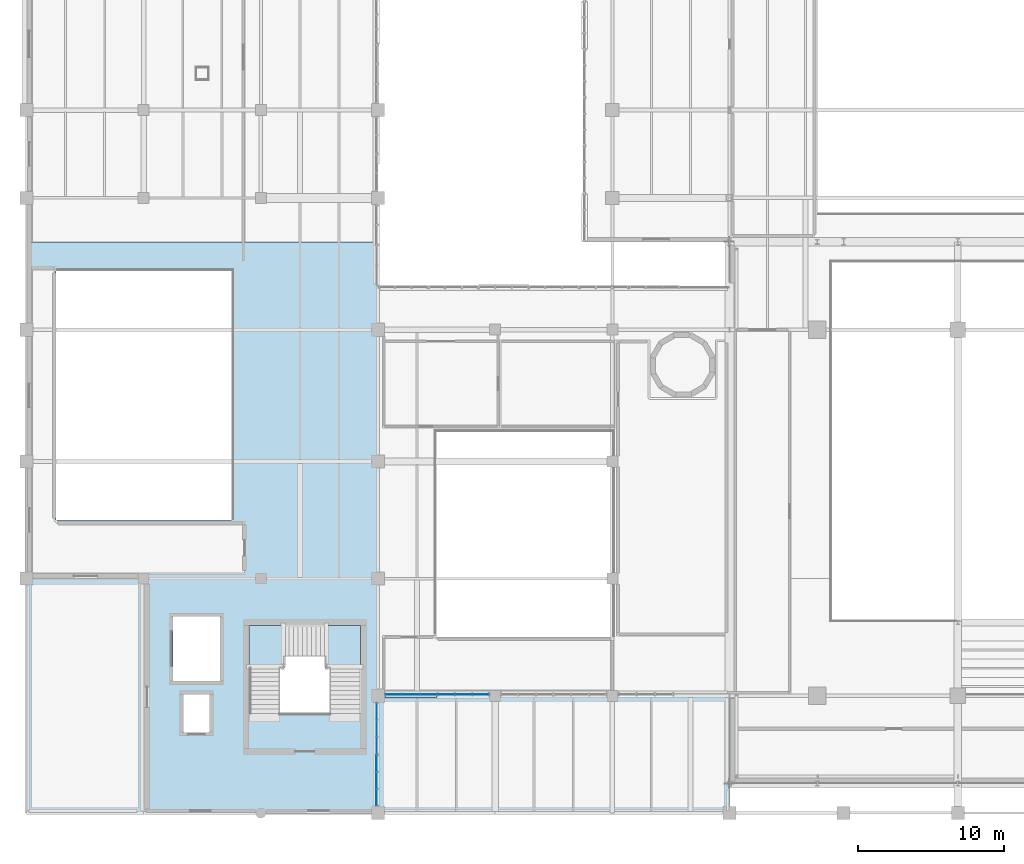
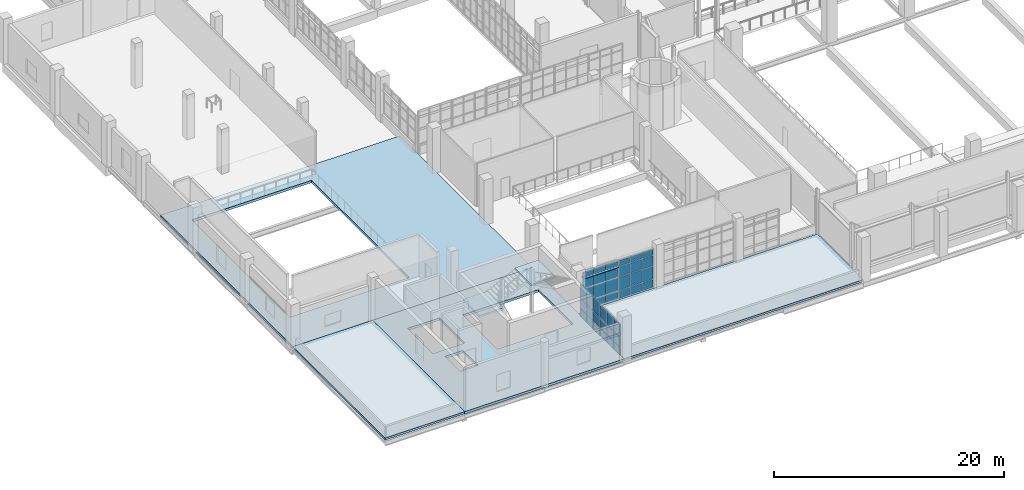
# One storey, part 65 of 102: 43 plates, 6 slabs, 5 elements without a shape of their own.
"""IFC4 building model written with IfcOpenShell, lengths in metres."""

from ifc_helpers import new_model, si_unit, derived_unit, direction, frame, origin, origin_2d, place, context, subcontext, project, spatial, polyline, rectangle, outline, extrude, material, layer, layer_set, type_object, element, aggregate, save


model = new_model("IFC4")

# Units and contexts
model_context = context("Model", 3, precision=1e-05, world=origin(), true_north=direction((0.0, 1.0)))
body_context = subcontext(model_context, "Body", "Model", "MODEL_VIEW")
ifc_project = project(units=[si_unit("LENGTHUNIT", "METRE"), si_unit("AREAUNIT", "SQUARE_METRE"), si_unit("VOLUMEUNIT", "CUBIC_METRE"), si_unit("PLANEANGLEUNIT", "RADIAN"), si_unit("MASSUNIT", "GRAM", prefix="KILO"), derived_unit("THERMALTRANSMITTANCEUNIT", [(si_unit("POWERUNIT", "WATT"), 1), (si_unit("LENGTHUNIT", "METRE"), -2), (si_unit("THERMODYNAMICTEMPERATUREUNIT", "KELVIN"), -1)])], contexts=[model_context])

# Site, building, storey
site_placement = place(None, origin())
site = spatial("IfcSite", under=ifc_project, at=site_placement, CompositionType="ELEMENT")
building_placement = place(site_placement, origin())
building = spatial("IfcBuilding", under=site, at=building_placement, Name="Nallur Shell Playhouse", CompositionType="ELEMENT")
storey_placement = place(building_placement, frame((0.0, 0.0, 15.0)))
storey = spatial("IfcBuildingStorey", under=building, at=storey_placement, Name="L04", CompositionType="ELEMENT", Elevation=15.0)

# Curtain wall, plates
ifc_material_1 = material(Name="Anodised Aluminium Double-Glazed Facade System", Category="aluminium")
ifc_layer_1 = layer(ifc_material_1, 0.172119140625)
ifc_layer_set_1 = layer_set([ifc_layer_1], Name="Anodised Aluminium Double-Glazed Facade System")
curtain_wall_type_1 = type_object("IfcCurtainWallType", Name="CW-UNIT-09", PredefinedType="NOTDEFINED", material=ifc_layer_set_1)
curtain_wall_1_placement = place(storey_placement, origin())
curtain_wall_1 = element("IfcCurtainWall", 1, at=curtain_wall_1_placement, inside=storey, type_object=curtain_wall_type_1, Name="Unitised curtain wall CW-137 (L04)", PredefinedType="NOTDEFINED")
ifc_material_2 = material(Name="Solar-Control Low-E Laminated Insulating Glass", Category="glass")
ifc_layer_2 = layer(ifc_material_2, 0.02587890625)
ifc_layer_set_2 = layer_set([ifc_layer_2], Name="Solar-Control Low-E Laminated Insulating Glass")
plate_type_1 = type_object("IfcPlateType", Name="PT-GLZ-01", PredefinedType="CURTAIN_PANEL", material=ifc_layer_set_2)
plate_1_placement = place(storey_placement, frame((39.909912109375, 14.9326171875, 0.05712890625), z_axis=(0.0, 0.0, 1.0), x_axis=(0.0, -1.0, 0.0)))
plate_1 = element("IfcPlate", 2, at=plate_1_placement, type_object=plate_type_1, Name="CW-09 panel 1.1", PredefinedType="CURTAIN_PANEL", context=body_context, shape_type="SweptSolid", body=[
    extrude(rectangle(XDim=1.074951171875, YDim=0.02587890625, at=origin_2d()), origin(), (0.0, 0.0, 1.0), 0.818603515625),
])
plate_2_placement = place(storey_placement, frame((39.909912109375, 14.9326171875, 0.924560546875), z_axis=(0.0, 0.0, 1.0), x_axis=(0.0, -1.0, 0.0)))
plate_2 = element("IfcPlate", 3, at=plate_2_placement, type_object=plate_type_1, Name="CW-09 panel 1.2", PredefinedType="CURTAIN_PANEL", context=body_context, shape_type="SweptSolid", body=[
    extrude(rectangle(XDim=1.074951171875, YDim=0.02587890625, at=origin_2d()), origin(), (0.0, 0.0, 1.0), 1.01904296875),
])
plate_3_placement = place(storey_placement, frame((39.909912109375, 14.9326171875, 1.99267578125), z_axis=(0.0, 0.0, 1.0), x_axis=(0.0, -1.0, 0.0)))
plate_3 = element("IfcPlate", 4, at=plate_3_placement, type_object=plate_type_1, Name="CW-09 panel 1.3", PredefinedType="CURTAIN_PANEL", context=body_context, shape_type="SweptSolid", body=[
    extrude(rectangle(XDim=1.074951171875, YDim=0.02587890625, at=origin_2d()), origin(), (0.0, 0.0, 1.0), 1.465576171875),
])
plate_4_placement = place(storey_placement, frame((39.909912109375, 13.7734375, 0.05712890625), z_axis=(0.0, 0.0, 1.0), x_axis=(0.0, -1.0, 0.0)))
plate_4 = element("IfcPlate", 5, at=plate_4_placement, type_object=plate_type_1, Name="CW-09 panel 2.1", PredefinedType="CURTAIN_PANEL", context=body_context, shape_type="SweptSolid", body=[
    extrude(rectangle(XDim=1.114990234375, YDim=0.02587890625, at=origin_2d()), origin(), (0.0, 0.0, 1.0), 0.818603515625),
])
plate_5_placement = place(storey_placement, frame((39.909912109375, 13.7734375, 0.924560546875), z_axis=(0.0, 0.0, 1.0), x_axis=(0.0, -1.0, 0.0)))
plate_5 = element("IfcPlate", 6, at=plate_5_placement, type_object=plate_type_1, Name="CW-09 panel 2.2", PredefinedType="CURTAIN_PANEL", context=body_context, shape_type="SweptSolid", body=[
    extrude(rectangle(XDim=1.114990234375, YDim=0.02587890625, at=origin_2d()), origin(), (0.0, 0.0, 1.0), 1.01904296875),
])
plate_6_placement = place(storey_placement, frame((39.909912109375, 13.7734375, 1.99267578125), z_axis=(0.0, 0.0, 1.0), x_axis=(0.0, -1.0, 0.0)))
plate_6 = element("IfcPlate", 7, at=plate_6_placement, type_object=plate_type_1, Name="CW-09 panel 2.3", PredefinedType="CURTAIN_PANEL", context=body_context, shape_type="SweptSolid", body=[
    extrude(rectangle(XDim=1.114990234375, YDim=0.02587890625, at=origin_2d()), origin(), (0.0, 0.0, 1.0), 1.465576171875),
])
plate_7_placement = place(storey_placement, frame((39.909912109375, 12.614501953125, 0.05712890625), z_axis=(0.0, 0.0, 1.0), x_axis=(0.0, -1.0, 0.0)))
plate_7 = element("IfcPlate", 8, at=plate_7_placement, type_object=plate_type_1, Name="CW-09 panel 3.1", PredefinedType="CURTAIN_PANEL", context=body_context, shape_type="SweptSolid", body=[
    extrude(rectangle(XDim=1.074951171875, YDim=0.02587890625, at=origin_2d()), origin(), (0.0, 0.0, 1.0), 0.818603515625),
])
plate_8_placement = place(storey_placement, frame((39.909912109375, 12.614501953125, 0.924560546875), z_axis=(0.0, 0.0, 1.0), x_axis=(0.0, -1.0, 0.0)))
plate_8 = element("IfcPlate", 9, at=plate_8_placement, type_object=plate_type_1, Name="CW-09 panel 3.2", PredefinedType="CURTAIN_PANEL", context=body_context, shape_type="SweptSolid", body=[
    extrude(rectangle(XDim=1.074951171875, YDim=0.02587890625, at=origin_2d()), origin(), (0.0, 0.0, 1.0), 1.01904296875),
])
plate_9_placement = place(storey_placement, frame((39.909912109375, 12.614501953125, 1.99267578125), z_axis=(0.0, 0.0, 1.0), x_axis=(0.0, -1.0, 0.0)))
plate_9 = element("IfcPlate", 10, at=plate_9_placement, type_object=plate_type_1, Name="CW-09 panel 3.3", PredefinedType="CURTAIN_PANEL", context=body_context, shape_type="SweptSolid", body=[
    extrude(rectangle(XDim=1.074951171875, YDim=0.02587890625, at=origin_2d()), origin(), (0.0, 0.0, 1.0), 1.465576171875),
])
aggregate(curtain_wall_1, [plate_1, plate_2, plate_3, plate_4, plate_5, plate_6, plate_7, plate_8, plate_9])

ifc_layer_3 = layer(ifc_material_1, 0.176025390625)
ifc_layer_set_3 = layer_set([ifc_layer_3], Name="Anodised Aluminium Double-Glazed Facade System")
curtain_wall_type_2 = type_object("IfcCurtainWallType", Name="CW-UNIT-10", PredefinedType="NOTDEFINED", material=ifc_layer_set_3)
curtain_wall_2_placement = place(storey_placement, origin())
curtain_wall_2 = element("IfcCurtainWall", 11, at=curtain_wall_2_placement, inside=storey, type_object=curtain_wall_type_2, Name="Unitised curtain wall CW-138 (L04)", PredefinedType="NOTDEFINED")
ifc_layer_4 = layer(ifc_material_2, 0.028076171875)
ifc_layer_set_4 = layer_set([ifc_layer_4], Name="Solar-Control Low-E Laminated Insulating Glass")
plate_type_2 = type_object("IfcPlateType", Name="PT-GLZ-02", PredefinedType="CURTAIN_PANEL", material=ifc_layer_set_4)
plate_10_placement = place(storey_placement, frame((39.909912109375, 11.38671875, 0.092041015625), z_axis=(0.0, 0.0, 1.0), x_axis=(0.0, -1.0, 0.0)))
plate_10 = element("IfcPlate", 12, at=plate_10_placement, type_object=plate_type_2, Name="CW-10 panel 1.1", PredefinedType="CURTAIN_PANEL", context=body_context, shape_type="SweptSolid", body=[
    extrude(rectangle(XDim=1.08251953125, YDim=0.028076171875, at=origin_2d()), origin(), (0.0, 0.0, 1.0), 0.76611328125),
])
plate_11_placement = place(storey_placement, frame((39.909912109375, 11.38671875, 0.94189453125), z_axis=(0.0, 0.0, 1.0), x_axis=(0.0, -1.0, 0.0)))
plate_11 = element("IfcPlate", 13, at=plate_11_placement, type_object=plate_type_2, Name="CW-10 panel 1.2", PredefinedType="CURTAIN_PANEL", context=body_context, shape_type="SweptSolid", body=[
    extrude(rectangle(XDim=1.08251953125, YDim=0.028076171875, at=origin_2d()), origin(), (0.0, 0.0, 1.0), 0.972900390625),
])
plate_12_placement = place(storey_placement, frame((39.909912109375, 11.38671875, 1.9990234375), z_axis=(0.0, 0.0, 1.0), x_axis=(0.0, -1.0, 0.0)))
plate_12 = element("IfcPlate", 14, at=plate_12_placement, type_object=plate_type_2, Name="CW-10 panel 1.3", PredefinedType="CURTAIN_PANEL", context=body_context, shape_type="SweptSolid", body=[
    extrude(rectangle(XDim=1.08251953125, YDim=0.028076171875, at=origin_2d()), origin(), (0.0, 0.0, 1.0), 1.404052734375),
])
plate_13_placement = place(storey_placement, frame((39.909912109375, 10.2265625, 0.092041015625), z_axis=(0.0, 0.0, 1.0), x_axis=(0.0, -1.0, 0.0)))
plate_13 = element("IfcPlate", 15, at=plate_13_placement, type_object=plate_type_2, Name="CW-10 panel 2.1", PredefinedType="CURTAIN_PANEL", context=body_context, shape_type="SweptSolid", body=[
    extrude(rectangle(XDim=1.1201171875, YDim=0.028076171875, at=origin_2d()), origin(), (0.0, 0.0, 1.0), 0.76611328125),
])
plate_14_placement = place(storey_placement, frame((39.909912109375, 10.2265625, 0.94189453125), z_axis=(0.0, 0.0, 1.0), x_axis=(0.0, -1.0, 0.0)))
plate_14 = element("IfcPlate", 16, at=plate_14_placement, type_object=plate_type_2, Name="CW-10 panel 2.2", PredefinedType="CURTAIN_PANEL", context=body_context, shape_type="SweptSolid", body=[
    extrude(rectangle(XDim=1.1201171875, YDim=0.028076171875, at=origin_2d()), origin(), (0.0, 0.0, 1.0), 0.972900390625),
])
plate_15_placement = place(storey_placement, frame((39.909912109375, 10.2265625, 1.9990234375), z_axis=(0.0, 0.0, 1.0), x_axis=(0.0, -1.0, 0.0)))
plate_15 = element("IfcPlate", 17, at=plate_15_placement, type_object=plate_type_2, Name="CW-10 panel 2.3", PredefinedType="CURTAIN_PANEL", context=body_context, shape_type="SweptSolid", body=[
    extrude(rectangle(XDim=1.1201171875, YDim=0.028076171875, at=origin_2d()), origin(), (0.0, 0.0, 1.0), 1.404052734375),
])
plate_16_placement = place(storey_placement, frame((39.909912109375, 9.066162109375, 0.092041015625), z_axis=(0.0, 0.0, 1.0), x_axis=(0.0, -1.0, 0.0)))
plate_16 = element("IfcPlate", 18, at=plate_16_placement, type_object=plate_type_2, Name="CW-10 panel 3.1", PredefinedType="CURTAIN_PANEL", context=body_context, shape_type="SweptSolid", body=[
    extrude(rectangle(XDim=1.08251953125, YDim=0.028076171875, at=origin_2d()), origin(), (0.0, 0.0, 1.0), 0.76611328125),
])
plate_17_placement = place(storey_placement, frame((39.909912109375, 9.066162109375, 0.94189453125), z_axis=(0.0, 0.0, 1.0), x_axis=(0.0, -1.0, 0.0)))
plate_17 = element("IfcPlate", 19, at=plate_17_placement, type_object=plate_type_2, Name="CW-10 panel 3.2", PredefinedType="CURTAIN_PANEL", context=body_context, shape_type="SweptSolid", body=[
    extrude(rectangle(XDim=1.08251953125, YDim=0.028076171875, at=origin_2d()), origin(), (0.0, 0.0, 1.0), 0.972900390625),
])
plate_18_placement = place(storey_placement, frame((39.909912109375, 9.066162109375, 1.9990234375), z_axis=(0.0, 0.0, 1.0), x_axis=(0.0, -1.0, 0.0)))
plate_18 = element("IfcPlate", 20, at=plate_18_placement, type_object=plate_type_2, Name="CW-10 panel 3.3", PredefinedType="CURTAIN_PANEL", context=body_context, shape_type="SweptSolid", body=[
    extrude(rectangle(XDim=1.08251953125, YDim=0.028076171875, at=origin_2d()), origin(), (0.0, 0.0, 1.0), 1.404052734375),
])
aggregate(curtain_wall_2, [plate_10, plate_11, plate_12, plate_13, plate_14, plate_15, plate_16, plate_17, plate_18])

ifc_layer_5 = layer(ifc_material_1, 0.1640625)
ifc_layer_set_5 = layer_set([ifc_layer_5], Name="Anodised Aluminium Double-Glazed Facade System")
curtain_wall_type_3 = type_object("IfcCurtainWallType", Name="CW-UNIT-07", PredefinedType="NOTDEFINED", material=ifc_layer_set_5)
curtain_wall_3_placement = place(storey_placement, origin())
curtain_wall_3 = element("IfcCurtainWall", 21, at=curtain_wall_3_placement, inside=storey, type_object=curtain_wall_type_3, Name="Unitised curtain wall CW-135 (L04)", PredefinedType="NOTDEFINED")
ifc_layer_6 = layer(ifc_material_2, 0.0380859375)
ifc_layer_set_6 = layer_set([ifc_layer_6], Name="Solar-Control Low-E Laminated Insulating Glass")
plate_type_3 = type_object("IfcPlateType", Name="PT-GLZ-07", PredefinedType="CURTAIN_PANEL", material=ifc_layer_set_6)
plate_19_placement = place(storey_placement, frame((47.00244140625, 16.090087890625, 0.05712890625), z_axis=(0.0, 0.0, 1.0), x_axis=(-1.0, 0.0, 0.0)))
plate_19 = element("IfcPlate", 22, at=plate_19_placement, type_object=plate_type_3, Name="CW-07 panel 1.1", PredefinedType="CURTAIN_PANEL", context=body_context, shape_type="SweptSolid", body=[
    extrude(rectangle(XDim=1.094970703125, YDim=0.0380859375, at=origin_2d()), origin(), (0.0, 0.0, 1.0), 0.818603515625),
])
plate_20_placement = place(storey_placement, frame((47.00244140625, 16.090087890625, 0.92431640625), z_axis=(0.0, 0.0, 1.0), x_axis=(-1.0, 0.0, 0.0)))
plate_20 = element("IfcPlate", 23, at=plate_20_placement, type_object=plate_type_3, Name="CW-07 panel 1.2", PredefinedType="CURTAIN_PANEL", context=body_context, shape_type="SweptSolid", body=[
    extrude(rectangle(XDim=1.094970703125, YDim=0.0380859375, at=origin_2d()), origin(), (0.0, 0.0, 1.0), 1.361083984375),
])
plate_21_placement = place(storey_placement, frame((47.00244140625, 16.090087890625, 2.33447265625), z_axis=(0.0, 0.0, 1.0), x_axis=(-1.0, 0.0, 0.0)))
plate_21 = element("IfcPlate", 24, at=plate_21_placement, type_object=plate_type_3, Name="CW-07 panel 1.3", PredefinedType="CURTAIN_PANEL", context=body_context, shape_type="SweptSolid", body=[
    extrude(rectangle(XDim=1.094970703125, YDim=0.0380859375, at=origin_2d()), origin(), (0.0, 0.0, 1.0), 1.0859375),
])
plate_22_placement = place(storey_placement, frame((47.00244140625, 16.090087890625, 3.4697265625), z_axis=(0.0, 0.0, 1.0), x_axis=(-1.0, 0.0, 0.0)))
plate_22 = element("IfcPlate", 25, at=plate_22_placement, type_object=plate_type_3, Name="CW-07 panel 1.4", PredefinedType="CURTAIN_PANEL", context=body_context, shape_type="SweptSolid", body=[
    extrude(rectangle(XDim=1.094970703125, YDim=0.0380859375, at=origin_2d()), origin(), (0.0, 0.0, 1.0), 0.598388671875),
])
plate_23_placement = place(storey_placement, frame((45.829833984375, 16.090087890625, 0.05712890625), z_axis=(0.0, 0.0, 1.0), x_axis=(-1.0, 0.0, 0.0)))
plate_23 = element("IfcPlate", 26, at=plate_23_placement, type_object=plate_type_3, Name="CW-07 panel 2.1", PredefinedType="CURTAIN_PANEL", context=body_context, shape_type="SweptSolid", body=[
    extrude(rectangle(XDim=1.132568359375, YDim=0.0380859375, at=origin_2d()), origin(), (0.0, 0.0, 1.0), 0.818603515625),
])
plate_24_placement = place(storey_placement, frame((45.829833984375, 16.090087890625, 0.92431640625), z_axis=(0.0, 0.0, 1.0), x_axis=(-1.0, 0.0, 0.0)))
plate_24 = element("IfcPlate", 27, at=plate_24_placement, type_object=plate_type_3, Name="CW-07 panel 2.2", PredefinedType="CURTAIN_PANEL", context=body_context, shape_type="SweptSolid", body=[
    extrude(rectangle(XDim=1.132568359375, YDim=0.0380859375, at=origin_2d()), origin(), (0.0, 0.0, 1.0), 1.361083984375),
])
plate_25_placement = place(storey_placement, frame((45.829833984375, 16.090087890625, 2.33447265625), z_axis=(0.0, 0.0, 1.0), x_axis=(-1.0, 0.0, 0.0)))
plate_25 = element("IfcPlate", 28, at=plate_25_placement, type_object=plate_type_3, Name="CW-07 panel 2.3", PredefinedType="CURTAIN_PANEL", context=body_context, shape_type="SweptSolid", body=[
    extrude(rectangle(XDim=1.132568359375, YDim=0.0380859375, at=origin_2d()), origin(), (0.0, 0.0, 1.0), 1.0859375),
])
plate_26_placement = place(storey_placement, frame((45.829833984375, 16.090087890625, 3.4697265625), z_axis=(0.0, 0.0, 1.0), x_axis=(-1.0, 0.0, 0.0)))
plate_26 = element("IfcPlate", 29, at=plate_26_placement, type_object=plate_type_3, Name="CW-07 panel 2.4", PredefinedType="CURTAIN_PANEL", context=body_context, shape_type="SweptSolid", body=[
    extrude(rectangle(XDim=1.132568359375, YDim=0.0380859375, at=origin_2d()), origin(), (0.0, 0.0, 1.0), 0.598388671875),
])
plate_27_placement = place(storey_placement, frame((44.656982421875, 16.090087890625, 0.05712890625), z_axis=(0.0, 0.0, 1.0), x_axis=(-1.0, 0.0, 0.0)))
plate_27 = element("IfcPlate", 30, at=plate_27_placement, type_object=plate_type_3, Name="CW-07 panel 3.1", PredefinedType="CURTAIN_PANEL", context=body_context, shape_type="SweptSolid", body=[
    extrude(rectangle(XDim=1.094970703125, YDim=0.0380859375, at=origin_2d()), origin(), (0.0, 0.0, 1.0), 0.818603515625),
])
plate_28_placement = place(storey_placement, frame((44.656982421875, 16.090087890625, 0.92431640625), z_axis=(0.0, 0.0, 1.0), x_axis=(-1.0, 0.0, 0.0)))
plate_28 = element("IfcPlate", 31, at=plate_28_placement, type_object=plate_type_3, Name="CW-07 panel 3.2", PredefinedType="CURTAIN_PANEL", context=body_context, shape_type="SweptSolid", body=[
    extrude(rectangle(XDim=1.094970703125, YDim=0.0380859375, at=origin_2d()), origin(), (0.0, 0.0, 1.0), 1.361083984375),
])
plate_29_placement = place(storey_placement, frame((44.656982421875, 16.090087890625, 2.33447265625), z_axis=(0.0, 0.0, 1.0), x_axis=(-1.0, 0.0, 0.0)))
plate_29 = element("IfcPlate", 32, at=plate_29_placement, type_object=plate_type_3, Name="CW-07 panel 3.3", PredefinedType="CURTAIN_PANEL", context=body_context, shape_type="SweptSolid", body=[
    extrude(rectangle(XDim=1.094970703125, YDim=0.0380859375, at=origin_2d()), origin(), (0.0, 0.0, 1.0), 1.0859375),
])
plate_30_placement = place(storey_placement, frame((44.656982421875, 16.090087890625, 3.4697265625), z_axis=(0.0, 0.0, 1.0), x_axis=(-1.0, 0.0, 0.0)))
plate_30 = element("IfcPlate", 33, at=plate_30_placement, type_object=plate_type_3, Name="CW-07 panel 3.4", PredefinedType="CURTAIN_PANEL", context=body_context, shape_type="SweptSolid", body=[
    extrude(rectangle(XDim=1.094970703125, YDim=0.0380859375, at=origin_2d()), origin(), (0.0, 0.0, 1.0), 0.598388671875),
])
aggregate(curtain_wall_3, [plate_19, plate_20, plate_21, plate_22, plate_23, plate_24, plate_25, plate_26, plate_27, plate_28, plate_29, plate_30])

ifc_layer_7 = layer(ifc_material_1, 0.16796875)
ifc_layer_set_7 = layer_set([ifc_layer_7], Name="Anodised Aluminium Double-Glazed Facade System")
curtain_wall_type_4 = type_object("IfcCurtainWallType", Name="CW-UNIT-08", PredefinedType="NOTDEFINED", material=ifc_layer_set_7)
curtain_wall_4_placement = place(storey_placement, origin())
curtain_wall_4 = element("IfcCurtainWall", 34, at=curtain_wall_4_placement, inside=storey, type_object=curtain_wall_type_4, Name="Unitised curtain wall CW-136 (L04)", PredefinedType="NOTDEFINED")
ifc_layer_8 = layer(ifc_material_2, 0.0400390625)
ifc_layer_set_8 = layer_set([ifc_layer_8], Name="Solar-Control Low-E Laminated Insulating Glass")
plate_type_4 = type_object("IfcPlateType", Name="PT-GLZ-08", PredefinedType="CURTAIN_PANEL", material=ifc_layer_set_8)
plate_31_placement = place(storey_placement, frame((43.42041015625, 16.090087890625, 0.092041015625), z_axis=(0.0, 0.0, 1.0), x_axis=(-1.0, 0.0, 0.0)))
plate_31 = element("IfcPlate", 35, at=plate_31_placement, type_object=plate_type_4, Name="CW-08 panel 1.1", PredefinedType="CURTAIN_PANEL", context=body_context, shape_type="SweptSolid", body=[
    extrude(rectangle(XDim=1.110107421875, YDim=0.0400390625, at=origin_2d()), origin(), (0.0, 0.0, 1.0), 0.76611328125),
])
plate_32_placement = place(storey_placement, frame((43.42041015625, 16.090087890625, 0.94189453125), z_axis=(0.0, 0.0, 1.0), x_axis=(-1.0, 0.0, 0.0)))
plate_32 = element("IfcPlate", 36, at=plate_32_placement, type_object=plate_type_4, Name="CW-08 panel 1.2", PredefinedType="CURTAIN_PANEL", context=body_context, shape_type="SweptSolid", body=[
    extrude(rectangle(XDim=1.110107421875, YDim=0.0400390625, at=origin_2d()), origin(), (0.0, 0.0, 1.0), 1.360107421875),
])
plate_33_placement = place(storey_placement, frame((43.42041015625, 16.090087890625, 2.38623046875), z_axis=(0.0, 0.0, 1.0), x_axis=(-1.0, 0.0, 0.0)))
plate_33 = element("IfcPlate", 37, at=plate_33_placement, type_object=plate_type_4, Name="CW-08 panel 1.3", PredefinedType="CURTAIN_PANEL", context=body_context, shape_type="SweptSolid", body=[
    extrude(rectangle(XDim=1.110107421875, YDim=0.0400390625, at=origin_2d()), origin(), (0.0, 0.0, 1.0), 1.076904296875),
])
plate_34_placement = place(storey_placement, frame((43.42041015625, 16.090087890625, 3.547119140625), z_axis=(0.0, 0.0, 1.0), x_axis=(-1.0, 0.0, 0.0)))
plate_34 = element("IfcPlate", 38, at=plate_34_placement, type_object=plate_type_4, Name="CW-08 panel 1.4", PredefinedType="CURTAIN_PANEL", context=body_context, shape_type="SweptSolid", body=[
    extrude(rectangle(XDim=1.110107421875, YDim=0.0400390625, at=origin_2d()), origin(), (0.0, 0.0, 1.0), 0.5458984375),
])
plate_35_placement = place(storey_placement, frame((42.245361328125, 16.090087890625, 0.092041015625), z_axis=(0.0, 0.0, 1.0), x_axis=(-1.0, 0.0, 0.0)))
plate_35 = element("IfcPlate", 39, at=plate_35_placement, type_object=plate_type_4, Name="CW-08 panel 2.1", PredefinedType="CURTAIN_PANEL", context=body_context, shape_type="SweptSolid", body=[
    extrude(rectangle(XDim=1.142578125, YDim=0.0400390625, at=origin_2d()), origin(), (0.0, 0.0, 1.0), 0.76611328125),
])
plate_36_placement = place(storey_placement, frame((42.245361328125, 16.090087890625, 0.94189453125), z_axis=(0.0, 0.0, 1.0), x_axis=(-1.0, 0.0, 0.0)))
plate_36 = element("IfcPlate", 40, at=plate_36_placement, type_object=plate_type_4, Name="CW-08 panel 2.2", PredefinedType="CURTAIN_PANEL", context=body_context, shape_type="SweptSolid", body=[
    extrude(rectangle(XDim=1.142578125, YDim=0.0400390625, at=origin_2d()), origin(), (0.0, 0.0, 1.0), 1.360107421875),
])
plate_37_placement = place(storey_placement, frame((42.245361328125, 16.090087890625, 2.38623046875), z_axis=(0.0, 0.0, 1.0), x_axis=(-1.0, 0.0, 0.0)))
plate_37 = element("IfcPlate", 41, at=plate_37_placement, type_object=plate_type_4, Name="CW-08 panel 2.3", PredefinedType="CURTAIN_PANEL", context=body_context, shape_type="SweptSolid", body=[
    extrude(rectangle(XDim=1.142578125, YDim=0.0400390625, at=origin_2d()), origin(), (0.0, 0.0, 1.0), 1.076904296875),
])
plate_38_placement = place(storey_placement, frame((42.245361328125, 16.090087890625, 3.547119140625), z_axis=(0.0, 0.0, 1.0), x_axis=(-1.0, 0.0, 0.0)))
plate_38 = element("IfcPlate", 42, at=plate_38_placement, type_object=plate_type_4, Name="CW-08 panel 2.4", PredefinedType="CURTAIN_PANEL", context=body_context, shape_type="SweptSolid", body=[
    extrude(rectangle(XDim=1.142578125, YDim=0.0400390625, at=origin_2d()), origin(), (0.0, 0.0, 1.0), 0.5458984375),
])
plate_39_placement = place(storey_placement, frame((41.070068359375, 16.090087890625, 0.092041015625), z_axis=(0.0, 0.0, 1.0), x_axis=(-1.0, 0.0, 0.0)))
plate_39 = element("IfcPlate", 43, at=plate_39_placement, type_object=plate_type_4, Name="CW-08 panel 3.1", PredefinedType="CURTAIN_PANEL", context=body_context, shape_type="SweptSolid", body=[
    extrude(rectangle(XDim=1.110107421875, YDim=0.0400390625, at=origin_2d()), origin(), (0.0, 0.0, 1.0), 0.76611328125),
])
plate_40_placement = place(storey_placement, frame((41.070068359375, 16.090087890625, 0.94189453125), z_axis=(0.0, 0.0, 1.0), x_axis=(-1.0, 0.0, 0.0)))
plate_40 = element("IfcPlate", 44, at=plate_40_placement, type_object=plate_type_4, Name="CW-08 panel 3.2", PredefinedType="CURTAIN_PANEL", context=body_context, shape_type="SweptSolid", body=[
    extrude(rectangle(XDim=1.110107421875, YDim=0.0400390625, at=origin_2d()), origin(), (0.0, 0.0, 1.0), 1.360107421875),
])
plate_41_placement = place(storey_placement, frame((41.070068359375, 16.090087890625, 2.38623046875), z_axis=(0.0, 0.0, 1.0), x_axis=(-1.0, 0.0, 0.0)))
plate_41 = element("IfcPlate", 45, at=plate_41_placement, type_object=plate_type_4, Name="CW-08 panel 3.3", PredefinedType="CURTAIN_PANEL", context=body_context, shape_type="SweptSolid", body=[
    extrude(rectangle(XDim=1.110107421875, YDim=0.0400390625, at=origin_2d()), origin(), (0.0, 0.0, 1.0), 1.076904296875),
])
plate_42_placement = place(storey_placement, frame((41.070068359375, 16.090087890625, 3.547119140625), z_axis=(0.0, 0.0, 1.0), x_axis=(-1.0, 0.0, 0.0)))
plate_42 = element("IfcPlate", 46, at=plate_42_placement, type_object=plate_type_4, Name="CW-08 panel 3.4", PredefinedType="CURTAIN_PANEL", context=body_context, shape_type="SweptSolid", body=[
    extrude(rectangle(XDim=1.110107421875, YDim=0.0400390625, at=origin_2d()), origin(), (0.0, 0.0, 1.0), 0.5458984375),
])
aggregate(curtain_wall_4, [plate_31, plate_32, plate_33, plate_34, plate_35, plate_36, plate_37, plate_38, plate_39, plate_40, plate_41, plate_42])

# Plate
ifc_material_3 = material(Name="Terracotta & Gold-Anodised Monsoon Sunshade Blade", Category="masonry")
ifc_layer_9 = layer(ifc_material_3, 0.050048828125)
ifc_layer_set_9 = layer_set([ifc_layer_9], Name="Terracotta & Gold-Anodised Monsoon Sunshade Blade")
plate_type_5 = type_object("IfcPlateType", Name="PT-LOUVRE-02", PredefinedType="USERDEFINED", material=ifc_layer_set_9)
plate_43_placement = place(storey_placement, frame((42.2451171875, 16.090087890625, 3.47998046875), z_axis=(0.0, 0.0, 1.0), x_axis=(-1.0, 0.0, 0.0)))
element("IfcPlate", 47, at=plate_43_placement, inside=storey, type_object=plate_type_5, Name="Monsoon sunshade louvre blade LV-034", ObjectType="SUNSHADE LOUVRE", PredefinedType="USERDEFINED", context=body_context, shape_type="SweptSolid", body=[
    extrude(rectangle(XDim=3.533935546875, YDim=0.419921875, at=origin_2d()), origin(), (0.0, 0.0, 1.0), 0.050048828125),
])

# Slabs
ifc_material_4 = material(Name="Concrete M35", Category="concrete")
ifc_layer_10 = layer(ifc_material_4, 0.219970703125)
ifc_layer_set_10 = layer_set([ifc_layer_10], Name="Concrete M35")
slab_type_1 = type_object("IfcSlabType", Name="SL-FLATROOF-220", PredefinedType="ROOF", material=ifc_layer_set_10)
slab_1_placement = place(storey_placement, frame((0.0, 0.0, -0.219970703125)))
element("IfcSlab", 48, at=slab_1_placement, inside=storey, type_object=slab_type_1, Name="L04 South Colonnade terrace roof slab", PredefinedType="ROOF", context=body_context, shape_type="SweptSolid", body=[
    extrude(outline(polyline([(40.0, 8.0), (40.0, 16.0), (64.0, 16.0), (64.0, 8.0), (40.0, 8.0)])), origin(), (0.0, 0.0, 1.0), 0.219970703125),
])
slab_2_placement = place(storey_placement, frame((0.0, 0.0, -0.219970703125)))
element("IfcSlab", 49, at=slab_2_placement, inside=storey, type_object=slab_type_1, Name="L04 South-West Black-Box Foyer roof slab", PredefinedType="ROOF", context=body_context, shape_type="SweptSolid", body=[
    extrude(outline(polyline([(16.0, 8.0), (16.0, 24.0), (24.0, 24.0), (24.0, 8.0), (16.0, 8.0)])), origin(), (0.0, 0.0, 1.0), 0.219970703125),
])
ifc_material_5 = material(Name="Concrete M30", Category="concrete")
ifc_layer_11 = layer(ifc_material_5, 0.260009765625)
ifc_layer_set_11 = layer_set([ifc_layer_11], Name="Concrete M30")
slab_type_2 = type_object("IfcSlabType", Name="SL-FLOOR-260", PredefinedType="FLOOR", material=ifc_layer_set_11)
slab_3_placement = place(storey_placement, frame((0.0, 0.0, -0.260009765625)))
element("IfcSlab", 50, at=slab_3_placement, inside=storey, type_object=slab_type_2, Name="L04 structural floor slab panel 01", PredefinedType="FLOOR", context=body_context, shape_type="SweptSolid", body=[
    extrude(outline(polyline([(40.0, 8.0), (24.0, 8.0), (24.0, 24.0), (40.0, 24.0), (40.0, 16.0), (40.0, 8.0)]), holes=[polyline([(26.699951171875, 16.10009765625), (26.699951171875, 13.5), (28.5, 13.5), (28.5, 16.10009765625), (26.699951171875, 16.10009765625)]), polyline([(38.800048828125, 14.800048828125), (38.800048828125, 20.800048828125), (31.199951171875, 20.800048828125), (31.199951171875, 14.800048828125), (38.800048828125, 14.800048828125)]), polyline([(29.199951171875, 21.39990234375), (26.0, 21.39990234375), (26.0, 17.0), (29.199951171875, 17.0), (29.199951171875, 21.39990234375)])]), origin(), (0.0, 0.0, 1.0), 0.260009765625),
])
slab_4_placement = place(storey_placement, frame((0.0, 0.0, -0.260009765625)))
element("IfcSlab", 51, at=slab_4_placement, inside=storey, type_object=slab_type_2, Name="L04 structural floor slab panel 02", PredefinedType="FLOOR", context=body_context, shape_type="SweptSolid", body=[
    extrude(outline(polyline([(16.0, 47.0), (40.0, 47.0), (40.0, 44.0), (40.0, 24.0), (24.0, 24.0), (16.0, 24.0), (16.0, 47.0)]), holes=[polyline([(30.0, 45.0), (18.0, 45.0), (18.0, 28.0), (30.0, 28.0), (30.0, 45.0)])]), origin(), (0.0, 0.0, 1.0), 0.260009765625),
])

# Stair, slabs
stair_type = type_object("IfcStairType", Name="ST-CORE-48", PredefinedType="QUARTER_TURN_STAIR", material=ifc_material_4)
stair_placement = place(storey_placement, origin())
stair = element("IfcStair", 52, at=stair_placement, inside=storey, type_object=stair_type, Name="Core JC-1 exit stair ST-01-L04 (L04 to L05)", PredefinedType="QUARTER_TURN_STAIR")
ifc_layer_12 = layer(ifc_material_4, 0.199951171875)
ifc_layer_set_12 = layer_set([ifc_layer_12], Name="Concrete M35")
slab_type_3 = type_object("IfcSlabType", Name="SL-LANDING-200", PredefinedType="LANDING", material=ifc_layer_set_12)
slab_5_placement = place(storey_placement, frame((0.0, 0.0, 1.449951171875)))
slab_5 = element("IfcSlab", 53, at=slab_5_placement, type_object=slab_type_3, Name="ST-48 landing 1", PredefinedType="LANDING", context=body_context, shape_type="SweptSolid", body=[
    extrude(outline(polyline([(31.199951171875, 17.89990234375), (33.60498046875, 17.89990234375), (33.60498046875, 20.800048828125), (31.199951171875, 20.800048828125), (31.199951171875, 17.89990234375)])), origin(), (0.0, 0.0, 1.0), 0.199951171875),
])
slab_6_placement = place(storey_placement, frame((0.0, 0.0, 2.949951171875)))
slab_6 = element("IfcSlab", 54, at=slab_6_placement, type_object=slab_type_3, Name="ST-48 landing 2", PredefinedType="LANDING", context=body_context, shape_type="SweptSolid", body=[
    extrude(outline(polyline([(36.39501953125, 17.89990234375), (38.800048828125, 17.89990234375), (38.800048828125, 20.800048828125), (36.39501953125, 20.800048828125), (36.39501953125, 17.89990234375)])), origin(), (0.0, 0.0, 1.0), 0.199951171875),
])
aggregate(stair, [slab_5, slab_6])

save(model, "model.ifc")
